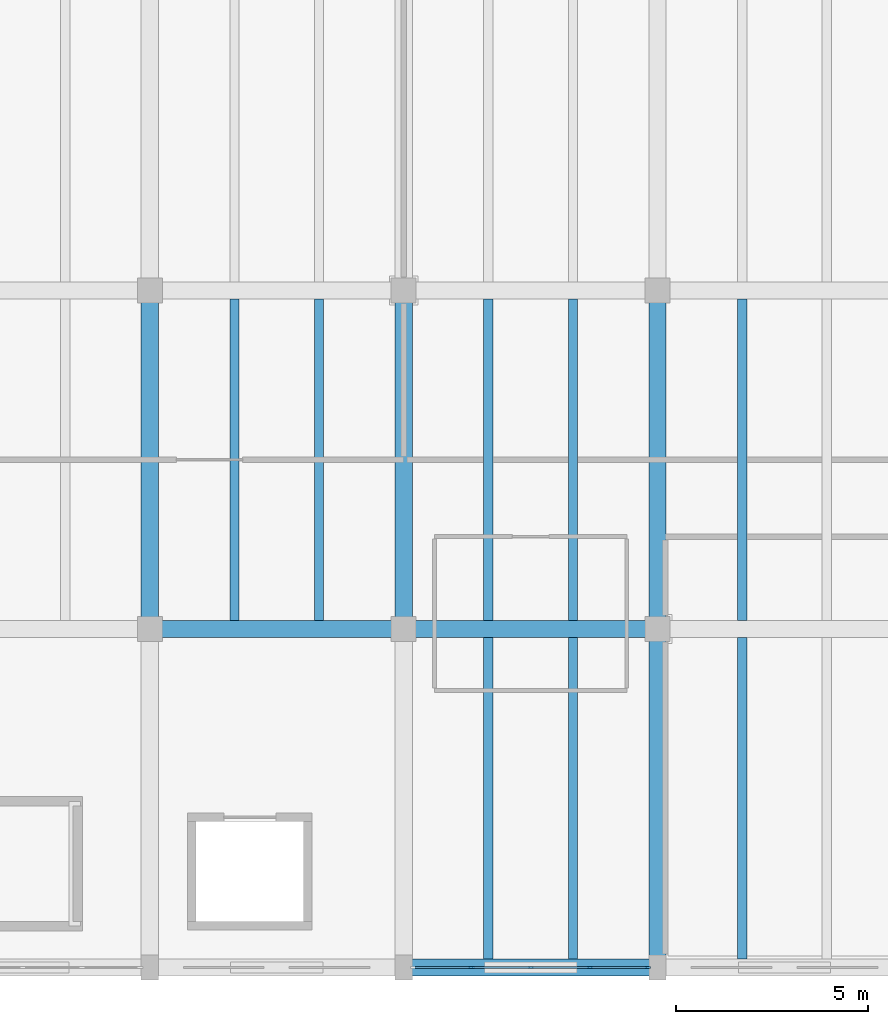
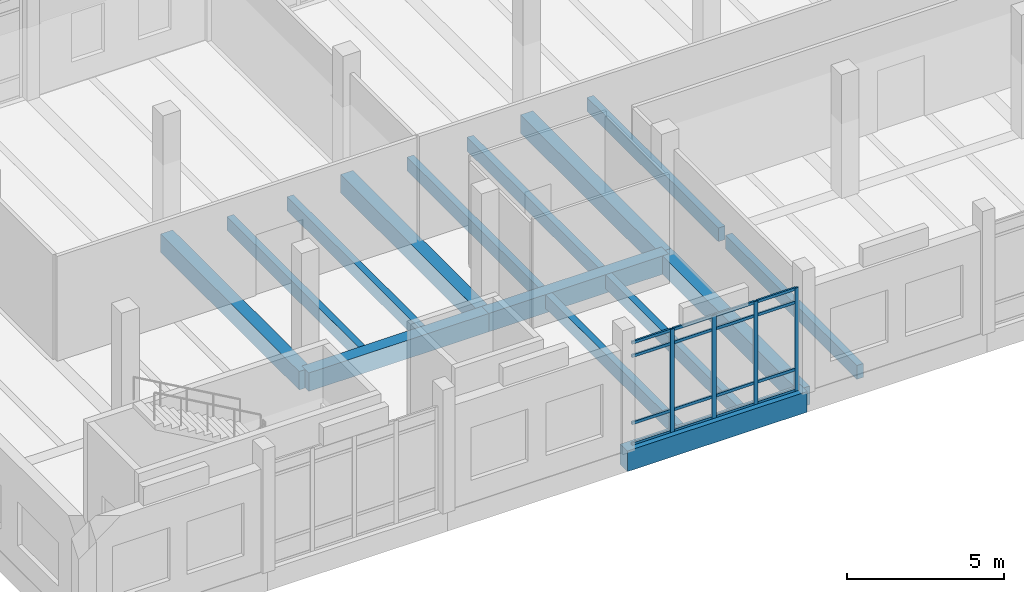
# One storey, part 19 of 101: 20 members, 15 beams, 1 element without a shape of its own.
"""IFC4 building model written with IfcOpenShell, lengths in metres."""

from ifc_helpers import new_model, si_unit, direction, frame, origin, origin_2d, place, context, subcontext, project, spatial, rectangle, extrude, material, material_profile, profile_set, type_object, element, aggregate, save


model = new_model("IFC4")

# Units and contexts
model_context = context("Model", 3, precision=1e-05, world=origin(), true_north=direction((0.0, 1.0)))
body_context = subcontext(model_context, "Body", "Model", "MODEL_VIEW")
ifc_project = project(units=[si_unit("LENGTHUNIT", "METRE"), si_unit("AREAUNIT", "SQUARE_METRE"), si_unit("VOLUMEUNIT", "CUBIC_METRE"), si_unit("PLANEANGLEUNIT", "RADIAN"), si_unit("MASSUNIT", "GRAM", prefix="KILO")], contexts=[model_context])

# Site, building, storey
site_placement = place(None, origin())
site = spatial("IfcSite", under=ifc_project, at=site_placement, CompositionType="ELEMENT")
building_placement = place(site_placement, origin())
building = spatial("IfcBuilding", under=site, at=building_placement, Name="Dornvale Research Institute", CompositionType="ELEMENT")
storey_placement = place(building_placement, frame((0.0, 0.0, 10.199951171875)))
storey = spatial("IfcBuildingStorey", under=building, at=storey_placement, Name="L02", CompositionType="ELEMENT", Elevation=10.199951171875)

# Beams
ifc_material_1 = material(Name="Concrete f'c 45 MPa (C35/45)", Category="concrete")
ifc_material_profile_1 = material_profile(ifc_material_1, rectangle(XDim=0.449951171875, YDim=0.715087890625, at=origin_2d()), Name="RC 450x715")
ifc_profile_set_1 = profile_set([ifc_material_profile_1], Name="Concrete f'c 45 MPa (C35/45)")
beam_type_1 = type_object("IfcBeamType", Name="Beam_RC450x715_Lab", PredefinedType="BEAM", material=ifc_profile_set_1)
beam_1_placement = place(storey_placement, frame((112.199951171875, 8.800048828125, -0.357421875), z_axis=(1.0, 0.0, 0.0), x_axis=(0.0, 1.0, 0.0)))
element("IfcBeam", 1, at=beam_1_placement, inside=storey, type_object=beam_type_1, Name="L02 primary girder #712", PredefinedType="BEAM", context=body_context, shape_type="SweptSolid", body=[
    extrude(rectangle(XDim=0.449951171875, YDim=0.715087890625, at=origin_2d()), origin(), (0.0, 0.0, 1.0), 6.60009765625),
])
beam_2_placement = place(storey_placement, frame((118.800048828125, 8.800048828125, -0.357421875), z_axis=(1.0, 0.0, 0.0), x_axis=(0.0, 1.0, 0.0)))
element("IfcBeam", 2, at=beam_2_placement, inside=storey, type_object=beam_type_1, Name="L02 primary girder #713", PredefinedType="BEAM", context=body_context, shape_type="SweptSolid", body=[
    extrude(rectangle(XDim=0.449951171875, YDim=0.715087890625, at=origin_2d()), origin(), (0.0, 0.0, 1.0), 6.599853515625),
])
for number, where, z_axis, x_axis, name in (
    (3, (112.199951171875, 8.800048828125, -0.357421875), (0.0, 1.0, 0.0), (-1.0, 0.0, 0.0), "L02 transverse girder #752"),
    (4, (118.800048828125, 8.800048828125, -0.357421875), (0.0, 1.0, 0.0), (-1.0, 0.0, 0.0), "L02 transverse girder #755"),
    (5, (125.39990234375, 0.0, -0.357421875), (0.0, 1.0, 0.0), (-1.0, 0.0, 0.0), "L02 transverse girder #757"),
    (6, (125.39990234375, 8.800048828125, -0.357421875), (0.0, 1.0, 0.0), (-1.0, 0.0, 0.0), "L02 transverse girder #758"),
):
    element("IfcBeam", number, at=place(storey_placement, frame(where, z_axis=z_axis, x_axis=x_axis)), inside=storey, type_object=beam_type_1, Name=name, PredefinedType="BEAM", context=body_context, shape_type="SweptSolid", body=[
        extrude(rectangle(XDim=0.449951171875, YDim=0.715087890625, at=origin_2d()), origin(), (0.0, 0.0, 1.0), 8.800048828125),
    ])
ifc_material_2 = material(Name="Concrete f'c 45 MPa (C35/45)", Category="concrete")
ifc_material_profile_2 = material_profile(ifc_material_2, rectangle(XDim=0.239990234375, YDim=0.534912109375, at=origin_2d()), Name="RC 240x535")
ifc_profile_set_2 = profile_set([ifc_material_profile_2], Name="Concrete f'c 45 MPa (C35/45)")
beam_type_2 = type_object("IfcBeamType", Name="Joist_RC240x535_Waffle", PredefinedType="JOIST", material=ifc_profile_set_2)
for number, where, z_axis, x_axis, name in (
    (7, (114.39990234375, 9.02490234375, -0.267333984375), (0.0, 1.0, 0.0), (-1.0, 0.0, 0.0), "L02 laboratory waffle joist #361"),
    (8, (116.60009765625, 9.02490234375, -0.267333984375), (0.0, 1.0, 0.0), (-1.0, 0.0, 0.0), "L02 laboratory waffle joist #362"),
):
    element("IfcBeam", number, at=place(storey_placement, frame(where, z_axis=z_axis, x_axis=x_axis)), inside=storey, type_object=beam_type_2, Name=name, PredefinedType="JOIST", context=body_context, shape_type="SweptSolid", body=[
        extrude(rectangle(XDim=0.239990234375, YDim=0.534912109375, at=origin_2d()), origin(), (0.0, 0.0, 1.0), 8.35009765625),
    ])
for number, where, z_axis, x_axis, name in (
    (9, (121.0, 0.22509765625, -0.267333984375), (0.0, 1.0, 0.0), (-1.0, 0.0, 0.0), "L02 laboratory waffle joist #365"),
    (10, (123.199951171875, 0.22509765625, -0.267333984375), (0.0, 1.0, 0.0), (-1.0, 0.0, 0.0), "L02 laboratory waffle joist #366"),
):
    element("IfcBeam", number, at=place(storey_placement, frame(where, z_axis=z_axis, x_axis=x_axis)), inside=storey, type_object=beam_type_2, Name=name, PredefinedType="JOIST", context=body_context, shape_type="SweptSolid", body=[
        extrude(rectangle(XDim=0.239990234375, YDim=0.534912109375, at=origin_2d()), origin(), (0.0, 0.0, 1.0), 8.349853515625),
    ])
for number, where, z_axis, x_axis, name in (
    (11, (121.0, 9.02490234375, -0.267333984375), (0.0, 1.0, 0.0), (-1.0, 0.0, 0.0), "L02 laboratory waffle joist #367"),
    (12, (123.199951171875, 9.02490234375, -0.267333984375), (0.0, 1.0, 0.0), (-1.0, 0.0, 0.0), "L02 laboratory waffle joist #368"),
):
    element("IfcBeam", number, at=place(storey_placement, frame(where, z_axis=z_axis, x_axis=x_axis)), inside=storey, type_object=beam_type_2, Name=name, PredefinedType="JOIST", context=body_context, shape_type="SweptSolid", body=[
        extrude(rectangle(XDim=0.239990234375, YDim=0.534912109375, at=origin_2d()), origin(), (0.0, 0.0, 1.0), 8.35009765625),
    ])
beam_3_placement = place(storey_placement, frame((127.60009765625, 0.22509765625, -0.267333984375), z_axis=(0.0, 1.0, 0.0), x_axis=(-1.0, 0.0, 0.0)))
element("IfcBeam", 13, at=beam_3_placement, inside=storey, type_object=beam_type_2, Name="L02 laboratory waffle joist #371", PredefinedType="JOIST", context=body_context, shape_type="SweptSolid", body=[
    extrude(rectangle(XDim=0.239990234375, YDim=0.534912109375, at=origin_2d()), origin(), (0.0, 0.0, 1.0), 8.349853515625),
])
beam_4_placement = place(storey_placement, frame((127.60009765625, 9.02490234375, -0.267333984375), z_axis=(0.0, 1.0, 0.0), x_axis=(-1.0, 0.0, 0.0)))
element("IfcBeam", 14, at=beam_4_placement, inside=storey, type_object=beam_type_2, Name="L02 laboratory waffle joist #373", PredefinedType="JOIST", context=body_context, shape_type="SweptSolid", body=[
    extrude(rectangle(XDim=0.239990234375, YDim=0.534912109375, at=origin_2d()), origin(), (0.0, 0.0, 1.0), 8.35009765625),
])

# Curtain wall, members
ifc_material_3 = material(Name="Low-E Argon Double Insulating Glazing Unit", Category="glass")
curtain_wall_type = type_object("IfcCurtainWallType", Name="UnitisedCurtainWall_V3_6150x4000", PredefinedType="USERDEFINED", material=ifc_material_3)
curtain_wall_placement = place(storey_placement, origin())
curtain_wall = element("IfcCurtainWall", 15, at=curtain_wall_placement, inside=storey, type_object=curtain_wall_type, Name="L02 V3 unitised curtain wall CW-06 #52", ObjectType="UNITISED CURTAIN WALL", PredefinedType="USERDEFINED")
ifc_material_4 = material(Name="Anodized Aluminum AA 6063-T6 Thermally Broken Frame", Category="aluminium")
ifc_material_profile_3 = material_profile(ifc_material_4, rectangle(XDim=0.06494140625, YDim=0.14990234375, at=origin_2d()), Name="ALU MULLION 65x150")
ifc_profile_set_3 = profile_set([ifc_material_profile_3], Name="Anodized Aluminum AA 6063-T6 Thermally Broken Frame")
member_type_1 = type_object("IfcMemberType", Name="Mullion_CW_65x150", PredefinedType="MULLION", material=ifc_profile_set_3)
member_1_placement = place(storey_placement, frame((125.142578125, 0.0, 0.0), z_axis=(0.0, 0.0, 1.0), x_axis=(0.0, -1.0, 0.0)))
member_1 = element("IfcMember", 16, at=member_1_placement, type_object=member_type_1, Name="CW-06 mullion 1", PredefinedType="MULLION", context=body_context, shape_type="SweptSolid", body=[
    extrude(rectangle(XDim=0.06494140625, YDim=0.14990234375, at=origin_2d()), origin(), (0.0, 0.0, 1.0), 4.0),
])
member_2_placement = place(storey_placement, frame((123.637451171875, 0.0, 0.0), z_axis=(0.0, 0.0, 1.0), x_axis=(0.0, -1.0, 0.0)))
member_2 = element("IfcMember", 17, at=member_2_placement, type_object=member_type_1, Name="CW-06 mullion 2", PredefinedType="MULLION", context=body_context, shape_type="SweptSolid", body=[
    extrude(rectangle(XDim=0.06494140625, YDim=0.14990234375, at=origin_2d()), origin(), (0.0, 0.0, 1.0), 4.0),
])
member_3_placement = place(storey_placement, frame((122.10009765625, 0.0, 0.0), z_axis=(0.0, 0.0, 1.0), x_axis=(0.0, -1.0, 0.0)))
member_3 = element("IfcMember", 18, at=member_3_placement, type_object=member_type_1, Name="CW-06 mullion 3", PredefinedType="MULLION", context=body_context, shape_type="SweptSolid", body=[
    extrude(rectangle(XDim=0.06494140625, YDim=0.14990234375, at=origin_2d()), origin(), (0.0, 0.0, 1.0), 4.0),
])
member_4_placement = place(storey_placement, frame((120.5625, 0.0, 0.0), z_axis=(0.0, 0.0, 1.0), x_axis=(0.0, -1.0, 0.0)))
member_4 = element("IfcMember", 19, at=member_4_placement, type_object=member_type_1, Name="CW-06 mullion 4", PredefinedType="MULLION", context=body_context, shape_type="SweptSolid", body=[
    extrude(rectangle(XDim=0.06494140625, YDim=0.14990234375, at=origin_2d()), origin(), (0.0, 0.0, 1.0), 4.0),
])

# Beam
ifc_material_5 = material(Name="Concrete f'c 45 MPa (C35/45)", Category="concrete")
ifc_material_profile_4 = material_profile(ifc_material_5, rectangle(XDim=0.449951171875, YDim=0.800048828125, at=origin_2d()), Name="RC 450x800")
ifc_profile_set_4 = profile_set([ifc_material_profile_4], Name="Concrete f'c 45 MPa (C35/45)")
beam_type_3 = type_object("IfcBeamType", Name="Spandrel_RC450x800_Ext", PredefinedType="SPANDREL", material=ifc_profile_set_4)
beam_5_placement = place(storey_placement, frame((118.800048828125, 0.0, -0.39990234375), z_axis=(1.0, 0.0, 0.0), x_axis=(0.0, 1.0, 0.0)))
element("IfcBeam", 20, at=beam_5_placement, inside=storey, type_object=beam_type_3, Name="L02 perimeter spandrel #701", PredefinedType="SPANDREL", context=body_context, shape_type="SweptSolid", body=[
    extrude(rectangle(XDim=0.449951171875, YDim=0.800048828125, at=origin_2d()), origin(), (0.0, 0.0, 1.0), 6.599853515625),
])

# Member
ifc_material_6 = material(Name="Anodized Aluminum AA 6063-T6 Thermally Broken Frame", Category="aluminium")
ifc_material_profile_5 = material_profile(ifc_material_6, rectangle(XDim=0.06494140625, YDim=0.110107421875, at=origin_2d()), Name="ALU TRANSOM 65x110")
ifc_profile_set_5 = profile_set([ifc_material_profile_5], Name="Anodized Aluminum AA 6063-T6 Thermally Broken Frame")
member_type_2 = type_object("IfcMemberType", Name="Transom_CW_65x110", PredefinedType="USERDEFINED", material=ifc_profile_set_5)
member_5_placement = place(storey_placement, frame((125.110107421875, 0.0, 0.032470703125), z_axis=(-1.0, 0.0, 0.0), x_axis=(0.0, -1.0, 0.0)))
member_5 = element("IfcMember", 21, at=member_5_placement, type_object=member_type_2, Name="CW-06 transom 1.1", ObjectType="TRANSOM", PredefinedType="USERDEFINED", context=body_context, shape_type="SweptSolid", body=[
    extrude(rectangle(XDim=0.06494140625, YDim=0.110107421875, at=origin_2d()), origin(), (0.0, 0.0, 1.0), 1.440185546875),
])

member_6_placement = place(storey_placement, frame((125.110107421875, 0.0, 0.85009765625), z_axis=(-1.0, 0.0, 0.0), x_axis=(0.0, -1.0, 0.0)))
member_6 = element("IfcMember", 22, at=member_6_placement, type_object=member_type_2, Name="CW-06 transom 1.2", ObjectType="TRANSOM", PredefinedType="USERDEFINED", context=body_context, shape_type="SweptSolid", body=[
    extrude(rectangle(XDim=0.06494140625, YDim=0.110107421875, at=origin_2d()), origin(), (0.0, 0.0, 1.0), 1.440185546875),
])

member_7_placement = place(storey_placement, frame((125.110107421875, 0.0, 3.449951171875), z_axis=(-1.0, 0.0, 0.0), x_axis=(0.0, -1.0, 0.0)))
member_7 = element("IfcMember", 23, at=member_7_placement, type_object=member_type_2, Name="CW-06 transom 1.3", ObjectType="TRANSOM", PredefinedType="USERDEFINED", context=body_context, shape_type="SweptSolid", body=[
    extrude(rectangle(XDim=0.06494140625, YDim=0.110107421875, at=origin_2d()), origin(), (0.0, 0.0, 1.0), 1.440185546875),
])

member_8_placement = place(storey_placement, frame((125.110107421875, 0.0, 3.967529296875), z_axis=(-1.0, 0.0, 0.0), x_axis=(0.0, -1.0, 0.0)))
member_8 = element("IfcMember", 24, at=member_8_placement, type_object=member_type_2, Name="CW-06 transom 1.4", ObjectType="TRANSOM", PredefinedType="USERDEFINED", context=body_context, shape_type="SweptSolid", body=[
    extrude(rectangle(XDim=0.06494140625, YDim=0.110107421875, at=origin_2d()), origin(), (0.0, 0.0, 1.0), 1.440185546875),
])

member_9_placement = place(storey_placement, frame((123.60498046875, 0.0, 0.032470703125), z_axis=(-1.0, 0.0, 0.0), x_axis=(0.0, -1.0, 0.0)))
member_9 = element("IfcMember", 25, at=member_9_placement, type_object=member_type_2, Name="CW-06 transom 2.1", ObjectType="TRANSOM", PredefinedType="USERDEFINED", context=body_context, shape_type="SweptSolid", body=[
    extrude(rectangle(XDim=0.06494140625, YDim=0.110107421875, at=origin_2d()), origin(), (0.0, 0.0, 1.0), 1.472412109375),
])

member_10_placement = place(storey_placement, frame((123.60498046875, 0.0, 0.85009765625), z_axis=(-1.0, 0.0, 0.0), x_axis=(0.0, -1.0, 0.0)))
member_10 = element("IfcMember", 26, at=member_10_placement, type_object=member_type_2, Name="CW-06 transom 2.2", ObjectType="TRANSOM", PredefinedType="USERDEFINED", context=body_context, shape_type="SweptSolid", body=[
    extrude(rectangle(XDim=0.06494140625, YDim=0.110107421875, at=origin_2d()), origin(), (0.0, 0.0, 1.0), 1.472412109375),
])

member_11_placement = place(storey_placement, frame((123.60498046875, 0.0, 3.449951171875), z_axis=(-1.0, 0.0, 0.0), x_axis=(0.0, -1.0, 0.0)))
member_11 = element("IfcMember", 27, at=member_11_placement, type_object=member_type_2, Name="CW-06 transom 2.3", ObjectType="TRANSOM", PredefinedType="USERDEFINED", context=body_context, shape_type="SweptSolid", body=[
    extrude(rectangle(XDim=0.06494140625, YDim=0.110107421875, at=origin_2d()), origin(), (0.0, 0.0, 1.0), 1.472412109375),
])

member_12_placement = place(storey_placement, frame((123.60498046875, 0.0, 3.967529296875), z_axis=(-1.0, 0.0, 0.0), x_axis=(0.0, -1.0, 0.0)))
member_12 = element("IfcMember", 28, at=member_12_placement, type_object=member_type_2, Name="CW-06 transom 2.4", ObjectType="TRANSOM", PredefinedType="USERDEFINED", context=body_context, shape_type="SweptSolid", body=[
    extrude(rectangle(XDim=0.06494140625, YDim=0.110107421875, at=origin_2d()), origin(), (0.0, 0.0, 1.0), 1.472412109375),
])

member_13_placement = place(storey_placement, frame((122.0673828125, 0.0, 0.032470703125), z_axis=(-1.0, 0.0, 0.0), x_axis=(0.0, -1.0, 0.0)))
member_13 = element("IfcMember", 29, at=member_13_placement, type_object=member_type_2, Name="CW-06 transom 3.1", ObjectType="TRANSOM", PredefinedType="USERDEFINED", context=body_context, shape_type="SweptSolid", body=[
    extrude(rectangle(XDim=0.06494140625, YDim=0.110107421875, at=origin_2d()), origin(), (0.0, 0.0, 1.0), 1.472412109375),
])

member_14_placement = place(storey_placement, frame((122.0673828125, 0.0, 0.85009765625), z_axis=(-1.0, 0.0, 0.0), x_axis=(0.0, -1.0, 0.0)))
member_14 = element("IfcMember", 30, at=member_14_placement, type_object=member_type_2, Name="CW-06 transom 3.2", ObjectType="TRANSOM", PredefinedType="USERDEFINED", context=body_context, shape_type="SweptSolid", body=[
    extrude(rectangle(XDim=0.06494140625, YDim=0.110107421875, at=origin_2d()), origin(), (0.0, 0.0, 1.0), 1.472412109375),
])

member_15_placement = place(storey_placement, frame((122.0673828125, 0.0, 3.449951171875), z_axis=(-1.0, 0.0, 0.0), x_axis=(0.0, -1.0, 0.0)))
member_15 = element("IfcMember", 31, at=member_15_placement, type_object=member_type_2, Name="CW-06 transom 3.3", ObjectType="TRANSOM", PredefinedType="USERDEFINED", context=body_context, shape_type="SweptSolid", body=[
    extrude(rectangle(XDim=0.06494140625, YDim=0.110107421875, at=origin_2d()), origin(), (0.0, 0.0, 1.0), 1.472412109375),
])

member_16_placement = place(storey_placement, frame((122.0673828125, 0.0, 3.967529296875), z_axis=(-1.0, 0.0, 0.0), x_axis=(0.0, -1.0, 0.0)))
member_16 = element("IfcMember", 32, at=member_16_placement, type_object=member_type_2, Name="CW-06 transom 3.4", ObjectType="TRANSOM", PredefinedType="USERDEFINED", context=body_context, shape_type="SweptSolid", body=[
    extrude(rectangle(XDim=0.06494140625, YDim=0.110107421875, at=origin_2d()), origin(), (0.0, 0.0, 1.0), 1.472412109375),
])

member_17_placement = place(storey_placement, frame((120.530029296875, 0.0, 0.032470703125), z_axis=(-1.0, 0.0, 0.0), x_axis=(0.0, -1.0, 0.0)))
member_17 = element("IfcMember", 33, at=member_17_placement, type_object=member_type_2, Name="CW-06 transom 4.1", ObjectType="TRANSOM", PredefinedType="USERDEFINED", context=body_context, shape_type="SweptSolid", body=[
    extrude(rectangle(XDim=0.06494140625, YDim=0.110107421875, at=origin_2d()), origin(), (0.0, 0.0, 1.0), 1.43994140625),
])

member_18_placement = place(storey_placement, frame((120.530029296875, 0.0, 0.85009765625), z_axis=(-1.0, 0.0, 0.0), x_axis=(0.0, -1.0, 0.0)))
member_18 = element("IfcMember", 34, at=member_18_placement, type_object=member_type_2, Name="CW-06 transom 4.2", ObjectType="TRANSOM", PredefinedType="USERDEFINED", context=body_context, shape_type="SweptSolid", body=[
    extrude(rectangle(XDim=0.06494140625, YDim=0.110107421875, at=origin_2d()), origin(), (0.0, 0.0, 1.0), 1.43994140625),
])

member_19_placement = place(storey_placement, frame((120.530029296875, 0.0, 3.449951171875), z_axis=(-1.0, 0.0, 0.0), x_axis=(0.0, -1.0, 0.0)))
member_19 = element("IfcMember", 35, at=member_19_placement, type_object=member_type_2, Name="CW-06 transom 4.3", ObjectType="TRANSOM", PredefinedType="USERDEFINED", context=body_context, shape_type="SweptSolid", body=[
    extrude(rectangle(XDim=0.06494140625, YDim=0.110107421875, at=origin_2d()), origin(), (0.0, 0.0, 1.0), 1.43994140625),
])

member_20_placement = place(storey_placement, frame((120.530029296875, 0.0, 3.967529296875), z_axis=(-1.0, 0.0, 0.0), x_axis=(0.0, -1.0, 0.0)))
member_20 = element("IfcMember", 36, at=member_20_placement, type_object=member_type_2, Name="CW-06 transom 4.4", ObjectType="TRANSOM", PredefinedType="USERDEFINED", context=body_context, shape_type="SweptSolid", body=[
    extrude(rectangle(XDim=0.06494140625, YDim=0.110107421875, at=origin_2d()), origin(), (0.0, 0.0, 1.0), 1.43994140625),
])

aggregate(curtain_wall, [member_1, member_2, member_3, member_4, member_5, member_6, member_7, member_8, member_9, member_10, member_11, member_12, member_13, member_14, member_15, member_16, member_17, member_18, member_19, member_20])

save(model, "model.ifc")
